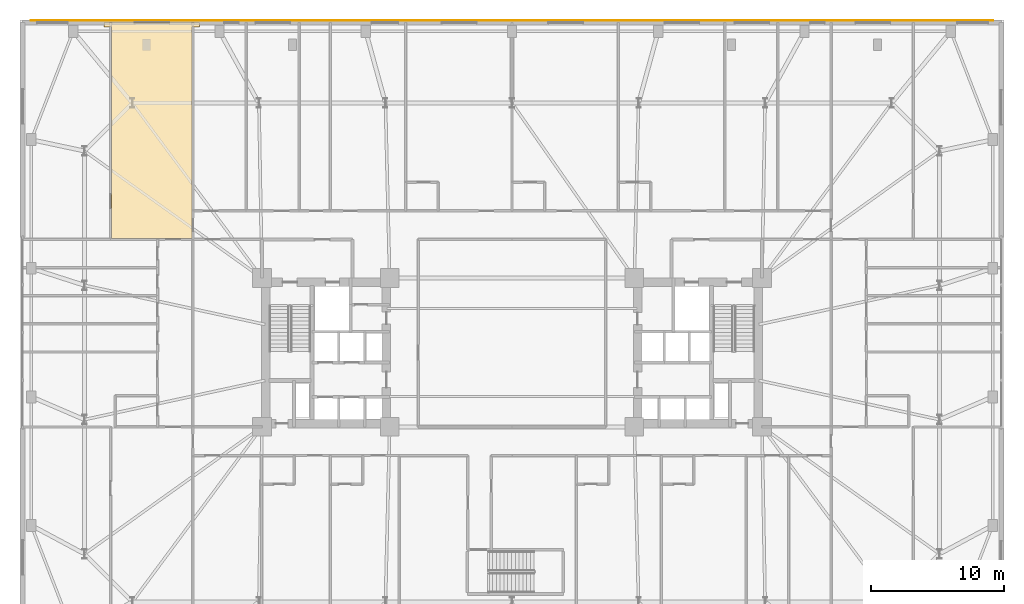
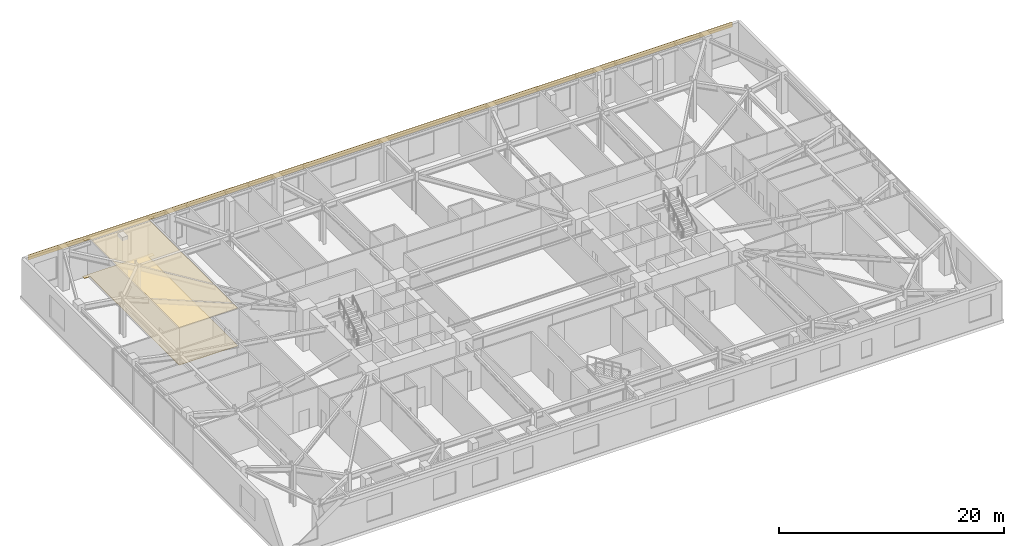
# One storey, part 21 of 21: 3 coverings.
"""IFC4 building model written with IfcOpenShell, lengths in metres."""

from ifc_helpers import new_model, si_unit, direction, frame, origin, place, context, subcontext, project, spatial, polyline, outline, extrude, material, layer, layer_set, type_object, element, save


model = new_model("IFC4")

# Units and contexts
model_context = context("Model", 3, precision=1e-05, world=origin(), true_north=direction((0.0, 1.0)))
body_context = subcontext(model_context, "Body", "Model", "MODEL_VIEW")
ifc_project = project(units=[si_unit("LENGTHUNIT", "METRE"), si_unit("AREAUNIT", "SQUARE_METRE"), si_unit("VOLUMEUNIT", "CUBIC_METRE"), si_unit("PLANEANGLEUNIT", "RADIAN"), si_unit("MASSUNIT", "GRAM", prefix="KILO")], contexts=[model_context])

# Site, building, storey
site_placement = place(None, origin())
site = spatial("IfcSite", under=ifc_project, at=site_placement, CompositionType="ELEMENT")
building_placement = place(site_placement, origin())
building = spatial("IfcBuilding", under=site, at=building_placement, Name="Qobustan Lattice House", CompositionType="ELEMENT")
storey_placement = place(building_placement, frame((0.0, 0.0, 18.0)))
storey = spatial("IfcBuildingStorey", under=building, at=storey_placement, Name="L04", CompositionType="ELEMENT", Elevation=18.0)

# Coverings
ifc_material_1 = material(Name="Perforated gypsum acoustic ceiling", Category="gypsum")
ifc_layer_1 = layer(ifc_material_1, 0.030029296875)
ifc_layer_set_1 = layer_set([ifc_layer_1], Name="Perforated gypsum acoustic ceiling")
covering_type_1 = type_object("IfcCoveringType", Name="COV-ACOUSTIC-CEIL", PredefinedType="CEILING", material=ifc_layer_set_1)
covering_1_placement = place(storey_placement, frame((0.0, 0.0, 4.080078125)))
element("IfcCovering", 1, at=covering_1_placement, inside=storey, type_object=covering_type_1, Name="L04 Reading seminar room L04WN acoustic ceiling", PredefinedType="CEILING", context=body_context, shape_type="SweptSolid", body=[
    extrude(outline(polyline([(-23.5, 24.830078125), (-30.68994140625, 24.830078125), (-30.68994140625, 24.4599609375), (-30.110107421875, 24.4599609375), (-30.110107421875, 8.580078125), (-24.080078125, 8.580078125), (-24.080078125, 24.4599609375), (-23.5, 24.4599609375), (-23.5, 24.830078125)])), origin(), (0.0, 0.0, 1.0), 0.030029296875),
])
ifc_material_2 = material(Name="Qobustan buff limestone cladding", Category="masonry")
ifc_layer_2 = layer(ifc_material_2, 0.044921875)
ifc_layer_set_2 = layer_set([ifc_layer_2], Name="Qobustan buff limestone cladding")
covering_type_2 = type_object("IfcCoveringType", Name="COV-STONE-CLAD", PredefinedType="CLADDING", material=ifc_layer_set_2)
covering_2_placement = place(storey_placement, frame((0.0, 0.0, 3.6201171875)))
element("IfcCovering", 2, at=covering_2_placement, inside=storey, type_object=covering_type_2, Name="L04 N Qobustan limestone cornice band", PredefinedType="CLADDING", context=body_context, shape_type="SweptSolid", body=[
    extrude(outline(polyline([(-36.199951171875, 24.9580078125), (-36.199951171875, 25.0029296875), (36.199951171875, 25.0029296875), (36.199951171875, 24.9580078125), (-36.199951171875, 24.9580078125)])), origin(), (0.0, 0.0, 1.0), 0.5498046875),
])
ifc_material_3 = material(Name="Honed Absheron stone terrazzo flooring", Category="masonry")
ifc_layer_3 = layer(ifc_material_3, 0.02490234375)
ifc_layer_set_3 = layer_set([ifc_layer_3], Name="Honed Absheron stone terrazzo flooring")
covering_type_3 = type_object("IfcCoveringType", Name="COV-TERRAZZO-FLR", PredefinedType="FLOORING", material=ifc_layer_set_3)
covering_3_placement = place(storey_placement, origin())
element("IfcCovering", 3, at=covering_3_placement, inside=storey, type_object=covering_type_3, Name="L04 Reading seminar room L04WN stone terrazzo flooring", PredefinedType="FLOORING", context=body_context, shape_type="SweptSolid", body=[
    extrude(outline(polyline([(-23.5, 24.830078125), (-30.68994140625, 24.830078125), (-30.68994140625, 24.4599609375), (-30.110107421875, 24.4599609375), (-30.110107421875, 8.580078125), (-24.080078125, 8.580078125), (-24.080078125, 24.4599609375), (-23.5, 24.4599609375), (-23.5, 24.830078125)])), origin(), (0.0, 0.0, 1.0), 0.02490234375),
])

save(model, "model.ifc")
